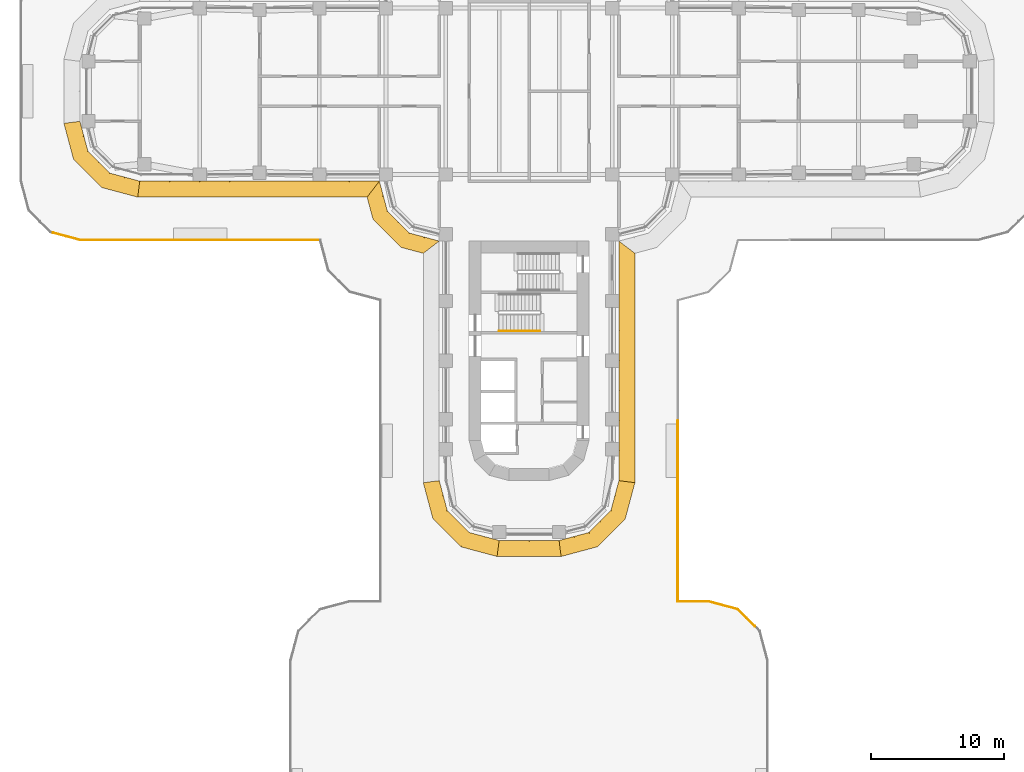
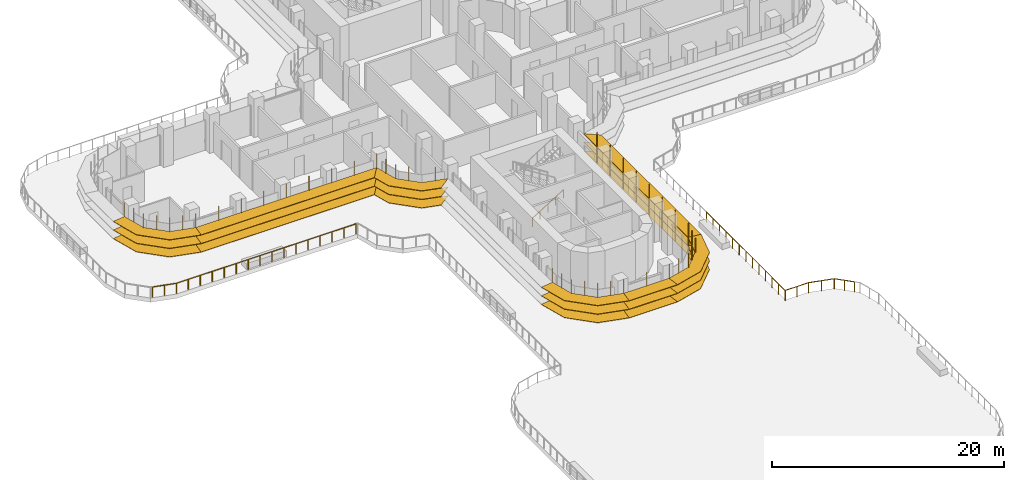
# One storey, part 21 of 26: 7 shading devices, 3 railings.
"""IFC4 building model written with IfcOpenShell, lengths in metres."""

from ifc_helpers import new_model, si_unit, direction, frame, origin, origin_2d, place, context, subcontext, project, spatial, polyline, circle, outline, extrude, faceted_brep, source, transform, mapped, material, type_object, element, save


model = new_model("IFC4")

# Units and contexts
model_context = context("Model", 3, precision=1e-05, world=origin(), true_north=direction((0.0, 1.0)))
body_context = subcontext(model_context, "Body", "Model", "MODEL_VIEW")
ifc_project = project(units=[si_unit("LENGTHUNIT", "METRE"), si_unit("AREAUNIT", "SQUARE_METRE"), si_unit("VOLUMEUNIT", "CUBIC_METRE"), si_unit("PLANEANGLEUNIT", "RADIAN"), si_unit("MASSUNIT", "GRAM", prefix="KILO")], contexts=[model_context])

# Site, building, storey
site_placement = place(None, origin())
site = spatial("IfcSite", under=ifc_project, at=site_placement, CompositionType="ELEMENT")
building_placement = place(site_placement, origin())
building = spatial("IfcBuilding", under=site, at=building_placement, Name="Zarbagh Exchange Tower", CompositionType="ELEMENT")
storey_placement = place(building_placement, frame((0.0, 0.0, 27.0)))
storey = spatial("IfcBuildingStorey", under=building, at=storey_placement, Name="L05", CompositionType="ELEMENT", Elevation=27.0)

# Railings
ifc_material_1 = material(Name="Stainless steel", Category="steel")
railing_type_1 = type_object("IfcRailingType", Name="Stair handrail 900 mm", PredefinedType="HANDRAIL", material=ifc_material_1)
railing_1_placement = place(storey_placement, frame((-2.25, -18.0, 0.175048828125)))
element("IfcRailing", 1, at=railing_1_placement, inside=storey, type_object=railing_type_1, Name="ST3 stair handrail 1", PredefinedType="HANDRAIL", context=body_context, shape_type="SweptSolid", body=[
    extrude(circle(Radius=0.02392578125, at=origin_2d()), frame((0.0, 0.0, 0.8759765625), z_axis=(0.847998304005, 0.0, 0.529998940003), x_axis=(0.0, 1.0, 0.0)), (0.0, 0.0, 1.0), 3.632080078125),
    extrude(circle(Radius=0.02099609375, at=origin_2d()), origin(), (0.0, 0.0, 1.0), 0.851806640625),
    extrude(circle(Radius=0.02099609375, at=origin_2d()), frame((0.77001953125, 0.0, 0.481201171875)), (0.0, 0.0, 1.0), 0.851806640625),
    extrude(circle(Radius=0.02099609375, at=origin_2d()), frame((1.5400390625, 0.0, 0.96240234375)), (0.0, 0.0, 1.0), 0.851806640625),
    extrude(circle(Radius=0.02099609375, at=origin_2d()), frame((2.31005859375, 0.0, 1.44384765625)), (0.0, 0.0, 1.0), 0.851806640625),
    extrude(circle(Radius=0.02099609375, at=origin_2d()), frame((3.080078125, 0.0, 1.925048828125)), (0.0, 0.0, 1.0), 0.851806640625),
])
ifc_material_2 = material(Name="Stainless steel and laminated glass", Category="steel")
railing_type_2 = type_object("IfcRailingType", Name="Terrace guard, glass balustrade 1.1 m", PredefinedType="GUARDRAIL", material=ifc_material_2)
railing_2_placement = place(storey_placement, frame((-15.850830078125, -11.169921875, 0.0)))
element("IfcRailing", 2, at=railing_2_placement, inside=storey, type_object=railing_type_2, Name="TG01 terrace guard", PredefinedType="GUARDRAIL", context=body_context, shape_type="SweptSolid", body=[
    extrude(circle(Radius=0.02490234375, at=origin_2d()), frame((0.0, 0.0, 1.0751953125), z_axis=(-1.0, 0.0, 0.0), x_axis=(0.0, -1.0, 0.0)), (0.0, 0.0, 1.0), 17.888671875),
    extrude(circle(Radius=0.02490234375, at=origin_2d()), frame((-17.888671875, 0.0, 1.0751953125), z_axis=(-0.965931018404, 0.258799667088, 0.0), x_axis=(-0.258799667088, -0.965931018404, 0.0)), (0.0, 0.0, 1.0), 2.111328125),
    extrude(circle(Radius=0.02490234375, at=origin_2d()), origin(), (0.0, 0.0, 1.0), 1.050048828125),
    extrude(circle(Radius=0.02490234375, at=origin_2d()), frame((-1.192626953125, 0.0, 0.0)), (0.0, 0.0, 1.0), 1.050048828125),
    extrude(circle(Radius=0.02490234375, at=origin_2d()), frame((-2.38525390625, 0.0, 0.0)), (0.0, 0.0, 1.0), 1.050048828125),
    extrude(circle(Radius=0.02490234375, at=origin_2d()), frame((-3.57763671875, 0.0, 0.0)), (0.0, 0.0, 1.0), 1.050048828125),
    extrude(circle(Radius=0.02490234375, at=origin_2d()), frame((-4.770263671875, 0.0, 0.0)), (0.0, 0.0, 1.0), 1.050048828125),
    extrude(circle(Radius=0.02490234375, at=origin_2d()), frame((-5.962890625, 0.0, 0.0)), (0.0, 0.0, 1.0), 1.050048828125),
    extrude(circle(Radius=0.02490234375, at=origin_2d()), frame((-7.155517578125, 0.0, 0.0)), (0.0, 0.0, 1.0), 1.050048828125),
    extrude(circle(Radius=0.02490234375, at=origin_2d()), frame((-8.34814453125, 0.0, 0.0)), (0.0, 0.0, 1.0), 1.050048828125),
    extrude(circle(Radius=0.02490234375, at=origin_2d()), frame((-9.54052734375, 0.0, 0.0)), (0.0, 0.0, 1.0), 1.050048828125),
    extrude(circle(Radius=0.02490234375, at=origin_2d()), frame((-10.733154296875, 0.0, 0.0)), (0.0, 0.0, 1.0), 1.050048828125),
    extrude(circle(Radius=0.02490234375, at=origin_2d()), frame((-11.92578125, 0.0, 0.0)), (0.0, 0.0, 1.0), 1.050048828125),
    extrude(circle(Radius=0.02490234375, at=origin_2d()), frame((-13.118408203125, 0.0, 0.0)), (0.0, 0.0, 1.0), 1.050048828125),
    extrude(circle(Radius=0.02490234375, at=origin_2d()), frame((-14.31103515625, 0.0, 0.0)), (0.0, 0.0, 1.0), 1.050048828125),
    extrude(circle(Radius=0.02490234375, at=origin_2d()), frame((-15.50341796875, 0.0, 0.0)), (0.0, 0.0, 1.0), 1.050048828125),
    extrude(circle(Radius=0.02490234375, at=origin_2d()), frame((-16.696044921875, 0.0, 0.0)), (0.0, 0.0, 1.0), 1.050048828125),
    extrude(circle(Radius=0.02490234375, at=origin_2d()), frame((-17.888671875, 0.0, 0.0)), (0.0, 0.0, 1.0), 1.050048828125),
    extrude(circle(Radius=0.02490234375, at=origin_2d()), frame((-18.908203125, 0.273193359375, 0.0)), (0.0, 0.0, 1.0), 1.050048828125),
    extrude(circle(Radius=0.02490234375, at=origin_2d()), frame((-19.927978515625, 0.54638671875, 0.0)), (0.0, 0.0, 1.0), 1.050048828125),
])
railing_3_placement = place(storey_placement, frame((11.169921875, -24.74560546875, 0.0)))
element("IfcRailing", 3, at=railing_3_placement, inside=storey, type_object=railing_type_2, Name="TG01 terrace guard", PredefinedType="GUARDRAIL", context=body_context, shape_type="SweptSolid", body=[
    extrude(circle(Radius=0.02490234375, at=origin_2d()), frame((0.0, 0.0, 1.0751953125), z_axis=(0.0, -1.0, 0.0), x_axis=(1.0, 0.0, 0.0)), (0.0, 0.0, 1.0), 13.58447265625),
    extrude(circle(Radius=0.02490234375, at=origin_2d()), frame((0.0, -13.58447265625, 1.0751953125), z_axis=(1.0, 0.0, 0.0), x_axis=(0.0, 1.0, 0.0)), (0.0, 0.0, 1.0), 2.319580078125),
    extrude(circle(Radius=0.02490234375, at=origin_2d()), frame((2.319580078125, -13.58447265625, 1.0751953125), z_axis=(0.965936192935, -0.258780353152, 0.0), x_axis=(0.258780353152, 0.965936192935, 0.0)), (0.0, 0.0, 1.0), 2.29736328125),
    extrude(circle(Radius=0.02490234375, at=origin_2d()), frame((4.53857421875, -14.178955078125, 1.0751953125), z_axis=(0.707106781187, -0.707106781187, 0.0), x_axis=(0.707106781187, 0.707106781187, 0.0)), (0.0, 0.0, 1.0), 1.798828125),
    extrude(circle(Radius=0.02490234375, at=origin_2d()), origin(), (0.0, 0.0, 1.0), 1.050048828125),
    extrude(circle(Radius=0.02490234375, at=origin_2d()), frame((0.0, -1.132080078125, 0.0)), (0.0, 0.0, 1.0), 1.050048828125),
    extrude(circle(Radius=0.02490234375, at=origin_2d()), frame((0.0, -2.26416015625, 0.0)), (0.0, 0.0, 1.0), 1.050048828125),
    extrude(circle(Radius=0.02490234375, at=origin_2d()), frame((0.0, -3.39599609375, 0.0)), (0.0, 0.0, 1.0), 1.050048828125),
    extrude(circle(Radius=0.02490234375, at=origin_2d()), frame((0.0, -4.528076171875, 0.0)), (0.0, 0.0, 1.0), 1.050048828125),
    extrude(circle(Radius=0.02490234375, at=origin_2d()), frame((0.0, -5.66015625, 0.0)), (0.0, 0.0, 1.0), 1.050048828125),
    extrude(circle(Radius=0.02490234375, at=origin_2d()), frame((0.0, -6.792236328125, 0.0)), (0.0, 0.0, 1.0), 1.050048828125),
    extrude(circle(Radius=0.02490234375, at=origin_2d()), frame((0.0, -7.92431640625, 0.0)), (0.0, 0.0, 1.0), 1.050048828125),
    extrude(circle(Radius=0.02490234375, at=origin_2d()), frame((0.0, -9.056396484375, 0.0)), (0.0, 0.0, 1.0), 1.050048828125),
    extrude(circle(Radius=0.02490234375, at=origin_2d()), frame((0.0, -10.1884765625, 0.0)), (0.0, 0.0, 1.0), 1.050048828125),
    extrude(circle(Radius=0.02490234375, at=origin_2d()), frame((0.0, -11.3203125, 0.0)), (0.0, 0.0, 1.0), 1.050048828125),
    extrude(circle(Radius=0.02490234375, at=origin_2d()), frame((0.0, -12.452392578125, 0.0)), (0.0, 0.0, 1.0), 1.050048828125),
    extrude(circle(Radius=0.02490234375, at=origin_2d()), frame((0.0, -13.58447265625, 0.0)), (0.0, 0.0, 1.0), 1.050048828125),
    extrude(circle(Radius=0.02490234375, at=origin_2d()), frame((1.15966796875, -13.58447265625, 0.0)), (0.0, 0.0, 1.0), 1.050048828125),
    extrude(circle(Radius=0.02490234375, at=origin_2d()), frame((2.319580078125, -13.58447265625, 0.0)), (0.0, 0.0, 1.0), 1.050048828125),
    extrude(circle(Radius=0.02490234375, at=origin_2d()), frame((3.42919921875, -13.8818359375, 0.0)), (0.0, 0.0, 1.0), 1.050048828125),
    extrude(circle(Radius=0.02490234375, at=origin_2d()), frame((4.53857421875, -14.178955078125, 0.0)), (0.0, 0.0, 1.0), 1.050048828125),
    extrude(circle(Radius=0.02490234375, at=origin_2d()), frame((5.174560546875, -14.81494140625, 0.0)), (0.0, 0.0, 1.0), 1.050048828125),
    extrude(circle(Radius=0.02490234375, at=origin_2d()), frame((5.810546875, -15.450927734375, 0.0)), (0.0, 0.0, 1.0), 1.050048828125),
])

# Shading devices
ifc_material_3 = material(Name="Anodised aluminium blades and brackets", Category="aluminium")
shading_device_type = type_object("IfcShadingDeviceType", Name="SUNSHADE louvre band, 0 degree blades", PredefinedType="JALOUSIE", material=ifc_material_3)
shared_shape_1 = source(origin(), body_context, "Body", "Brep", [
    faceted_brep([(0.0, 0.0, 0.0), (0.0, 0.0, -0.0400390625), (-0.157958984375, -1.199951171875, -0.0400390625), (-0.157958984375, -1.199951171875, 0.0), (2.65087890625, -1.199951171875, 0.0), (2.65087890625, -1.199951171875, -0.0400390625), (2.329345703125, 0.0, -0.0400390625), (2.329345703125, 0.0, 0.0)], [[[0, 1, 2, 3]], [[4, 5, 6, 7]], [[0, 7, 6, 1]], [[1, 6, 5, 2]], [[2, 5, 4, 3]], [[3, 4, 7, 0]]]),
])
shared_shape_2 = source(origin(), body_context, "Body", "Brep", [
    faceted_brep([(0.0, 0.0, 0.0), (0.0, 0.0, -0.0400390625), (-0.321533203125, -1.199951171875, -0.0400390625), (-0.321533203125, -1.199951171875, 0.0), (2.65087890625, -1.199951171875, 0.0), (2.65087890625, -1.199951171875, -0.0400390625), (2.329345703125, 0.0, -0.0400390625), (2.329345703125, 0.0, 0.0)], [[[0, 1, 2, 3]], [[4, 5, 6, 7]], [[0, 7, 6, 1]], [[1, 6, 5, 2]], [[2, 5, 4, 3]], [[3, 4, 7, 0]]]),
])
shared_shape_3 = source(origin(), body_context, "Body", "Brep", [
    faceted_brep([(0.0, 0.0, 0.0), (0.0, 0.0, -0.0400390625), (-0.321533203125, -1.199951171875, -0.0400390625), (-0.321533203125, -1.199951171875, 0.0), (2.4873046875, -1.199951171875, 0.0), (2.4873046875, -1.199951171875, -0.0400390625), (2.329345703125, 0.0, -0.0400390625), (2.329345703125, 0.0, 0.0)], [[[0, 1, 2, 3]], [[4, 5, 6, 7]], [[0, 7, 6, 1]], [[1, 6, 5, 2]], [[2, 5, 4, 3]], [[3, 4, 7, 0]]]),
])
shared_shape_4 = source(origin(), body_context, "Body", "SweptSolid", [
    extrude(outline(polyline([(0.0, -0.012451171875), (0.06005859375, -0.012451171875), (0.06005859375, 0.012451171875), (0.0, 0.012451171875), (0.0, -0.012451171875)])), origin(), (0.0, 0.0, 1.0), 3.35009765625),
])
placement = place(storey_placement, origin())
element("IfcShadingDevice", 4, at=placement, inside=storey, type_object=shading_device_type, Name="SS01 sunshade band", PredefinedType="JALOUSIE", context=body_context, shape_type="MappedRepresentation", body=[
    mapped(shared_shape_1, transform((2.25, -33.75, 2.699951171875), x_axis=(0.965924289636, 0.258824779902, 0.0), y_axis=(-0.258824779902, 0.965924289636, 0.0), z_axis=(0.0, 0.0, 1.0))),
    mapped(shared_shape_1, transform((2.25, -33.75, 1.800048828125), x_axis=(0.965924289636, 0.258824779902, 0.0), y_axis=(-0.258824779902, 0.965924289636, 0.0), z_axis=(0.0, 0.0, 1.0))),
    mapped(shared_shape_1, transform((2.25, -33.75, 0.89990234375), x_axis=(0.965924289636, 0.258824779902, 0.0), y_axis=(-0.258824779902, 0.965924289636, 0.0), z_axis=(0.0, 0.0, 1.0))),
    mapped(shared_shape_2, transform((4.5, -33.147216796875, 2.699951171875), x_axis=(0.707106781187, 0.707106781187, 0.0), y_axis=(-0.707106781187, 0.707106781187, 0.0), z_axis=(0.0, 0.0, 1.0))),
    mapped(shared_shape_2, transform((4.5, -33.147216796875, 1.800048828125), x_axis=(0.707106781187, 0.707106781187, 0.0), y_axis=(-0.707106781187, 0.707106781187, 0.0), z_axis=(0.0, 0.0, 1.0))),
    mapped(shared_shape_2, transform((4.5, -33.147216796875, 0.89990234375), x_axis=(0.707106781187, 0.707106781187, 0.0), y_axis=(-0.707106781187, 0.707106781187, 0.0), z_axis=(0.0, 0.0, 1.0))),
    mapped(shared_shape_3, transform((6.147216796875, -31.5, 2.699951171875), x_axis=(0.258824779902, 0.965924289636, 0.0), y_axis=(-0.965924289636, 0.258824779902, 0.0), z_axis=(0.0, 0.0, 1.0))),
    mapped(shared_shape_3, transform((6.147216796875, -31.5, 1.800048828125), x_axis=(0.258824779902, 0.965924289636, 0.0), y_axis=(-0.965924289636, 0.258824779902, 0.0), z_axis=(0.0, 0.0, 1.0))),
    mapped(shared_shape_3, transform((6.147216796875, -31.5, 0.89990234375), x_axis=(0.258824779902, 0.965924289636, 0.0), y_axis=(-0.965924289636, 0.258824779902, 0.0), z_axis=(0.0, 0.0, 1.0))),
    mapped(shared_shape_4, transform((2.25, -33.75, 0.830078125), x_axis=(0.130529263012, -0.991444457092, 0.0), y_axis=(0.991444457092, 0.130529263012, 0.0), z_axis=(0.0, 0.0, 1.0))),
    mapped(shared_shape_4, transform((3.375, -33.448486328125, 0.830078125), x_axis=(0.258825058029, -0.96592421511, 0.0), y_axis=(0.96592421511, 0.258825058029, 0.0), z_axis=(0.0, 0.0, 1.0))),
    mapped(shared_shape_4, transform((4.5, -33.147216796875, 0.830078125), x_axis=(0.50000275701, -0.866023812018, 0.0), y_axis=(0.866023812018, 0.50000275701, 0.0), z_axis=(0.0, 0.0, 1.0))),
    mapped(shared_shape_4, transform((5.323486328125, -32.323486328125, 0.830078125), x_axis=(0.707106781187, -0.707106781187, 0.0), y_axis=(0.707106781187, 0.707106781187, 0.0), z_axis=(0.0, 0.0, 1.0))),
    mapped(shared_shape_4, transform((6.147216796875, -31.5, 0.830078125), x_axis=(0.866023812018, -0.50000275701, 0.0), y_axis=(0.50000275701, 0.866023812018, 0.0), z_axis=(0.0, 0.0, 1.0))),
    mapped(shared_shape_4, transform((6.448486328125, -30.375, 0.830078125), x_axis=(0.96592421511, -0.258825058029, 0.0), y_axis=(0.258825058029, 0.96592421511, 0.0), z_axis=(0.0, 0.0, 1.0))),
])
element("IfcShadingDevice", 5, at=placement, inside=storey, type_object=shading_device_type, Name="SS19 sunshade band", PredefinedType="JALOUSIE", context=body_context, shape_type="MappedRepresentation", body=[
    mapped(shared_shape_1, transform((-33.75, -2.25, 2.699951171875), x_axis=(0.258824779902, -0.965924289636, 0.0), y_axis=(0.965924289636, 0.258824779902, 0.0), z_axis=(0.0, 0.0, 1.0))),
    mapped(shared_shape_1, transform((-33.75, -2.25, 1.800048828125), x_axis=(0.258824779902, -0.965924289636, 0.0), y_axis=(0.965924289636, 0.258824779902, 0.0), z_axis=(0.0, 0.0, 1.0))),
    mapped(shared_shape_1, transform((-33.75, -2.25, 0.89990234375), x_axis=(0.258824779902, -0.965924289636, 0.0), y_axis=(0.965924289636, 0.258824779902, 0.0), z_axis=(0.0, 0.0, 1.0))),
    mapped(shared_shape_2, transform((-33.147216796875, -4.5, 2.699951171875), x_axis=(0.707106781187, -0.707106781187, 0.0), y_axis=(0.707106781187, 0.707106781187, 0.0), z_axis=(0.0, 0.0, 1.0))),
    mapped(shared_shape_2, transform((-33.147216796875, -4.5, 1.800048828125), x_axis=(0.707106781187, -0.707106781187, 0.0), y_axis=(0.707106781187, 0.707106781187, 0.0), z_axis=(0.0, 0.0, 1.0))),
    mapped(shared_shape_2, transform((-33.147216796875, -4.5, 0.89990234375), x_axis=(0.707106781187, -0.707106781187, 0.0), y_axis=(0.707106781187, 0.707106781187, 0.0), z_axis=(0.0, 0.0, 1.0))),
    mapped(shared_shape_3, transform((-31.5, -6.147216796875, 2.699951171875), x_axis=(0.965924289636, -0.258824779902, 0.0), y_axis=(0.258824779902, 0.965924289636, 0.0), z_axis=(0.0, 0.0, 1.0))),
    mapped(shared_shape_3, transform((-31.5, -6.147216796875, 1.800048828125), x_axis=(0.965924289636, -0.258824779902, 0.0), y_axis=(0.258824779902, 0.965924289636, 0.0), z_axis=(0.0, 0.0, 1.0))),
    mapped(shared_shape_3, transform((-31.5, -6.147216796875, 0.89990234375), x_axis=(0.965924289636, -0.258824779902, 0.0), y_axis=(0.258824779902, 0.965924289636, 0.0), z_axis=(0.0, 0.0, 1.0))),
    mapped(shared_shape_4, transform((-33.75, -2.25, 0.830078125), x_axis=(-0.991444457092, -0.130529263012, 0.0), y_axis=(0.130529263012, -0.991444457092, 0.0), z_axis=(0.0, 0.0, 1.0))),
    mapped(shared_shape_4, transform((-33.448486328125, -3.375, 0.830078125), x_axis=(-0.96592421511, -0.258825058029, 0.0), y_axis=(0.258825058029, -0.96592421511, 0.0), z_axis=(0.0, 0.0, 1.0))),
    mapped(shared_shape_4, transform((-33.147216796875, -4.5, 0.830078125), x_axis=(-0.866023812018, -0.50000275701, 0.0), y_axis=(0.50000275701, -0.866023812018, 0.0), z_axis=(0.0, 0.0, 1.0))),
    mapped(shared_shape_4, transform((-32.323486328125, -5.323486328125, 0.830078125), x_axis=(-0.707106781187, -0.707106781187, 0.0), y_axis=(0.707106781187, -0.707106781187, 0.0), z_axis=(0.0, 0.0, 1.0))),
    mapped(shared_shape_4, transform((-31.5, -6.147216796875, 0.830078125), x_axis=(-0.50000275701, -0.866023812018, 0.0), y_axis=(0.866023812018, -0.50000275701, 0.0), z_axis=(0.0, 0.0, 1.0))),
    mapped(shared_shape_4, transform((-30.375, -6.448486328125, 0.830078125), x_axis=(-0.258825058029, -0.96592421511, 0.0), y_axis=(0.96592421511, -0.258825058029, 0.0), z_axis=(0.0, 0.0, 1.0))),
])
element("IfcShadingDevice", 6, at=placement, inside=storey, type_object=shading_device_type, Name="SS23 sunshade band", PredefinedType="JALOUSIE", context=body_context, shape_type="MappedRepresentation", body=[
    mapped(shared_shape_1, transform((-6.75, -29.25, 2.699951171875), x_axis=(0.258824779902, -0.965924289636, 0.0), y_axis=(0.965924289636, 0.258824779902, 0.0), z_axis=(0.0, 0.0, 1.0))),
    mapped(shared_shape_1, transform((-6.75, -29.25, 1.800048828125), x_axis=(0.258824779902, -0.965924289636, 0.0), y_axis=(0.965924289636, 0.258824779902, 0.0), z_axis=(0.0, 0.0, 1.0))),
    mapped(shared_shape_1, transform((-6.75, -29.25, 0.89990234375), x_axis=(0.258824779902, -0.965924289636, 0.0), y_axis=(0.965924289636, 0.258824779902, 0.0), z_axis=(0.0, 0.0, 1.0))),
    mapped(shared_shape_2, transform((-6.147216796875, -31.5, 2.699951171875), x_axis=(0.707106781187, -0.707106781187, 0.0), y_axis=(0.707106781187, 0.707106781187, 0.0), z_axis=(0.0, 0.0, 1.0))),
    mapped(shared_shape_2, transform((-6.147216796875, -31.5, 1.800048828125), x_axis=(0.707106781187, -0.707106781187, 0.0), y_axis=(0.707106781187, 0.707106781187, 0.0), z_axis=(0.0, 0.0, 1.0))),
    mapped(shared_shape_2, transform((-6.147216796875, -31.5, 0.89990234375), x_axis=(0.707106781187, -0.707106781187, 0.0), y_axis=(0.707106781187, 0.707106781187, 0.0), z_axis=(0.0, 0.0, 1.0))),
    mapped(shared_shape_3, transform((-4.5, -33.147216796875, 2.699951171875), x_axis=(0.965924289636, -0.258824779902, 0.0), y_axis=(0.258824779902, 0.965924289636, 0.0), z_axis=(0.0, 0.0, 1.0))),
    mapped(shared_shape_3, transform((-4.5, -33.147216796875, 1.800048828125), x_axis=(0.965924289636, -0.258824779902, 0.0), y_axis=(0.258824779902, 0.965924289636, 0.0), z_axis=(0.0, 0.0, 1.0))),
    mapped(shared_shape_3, transform((-4.5, -33.147216796875, 0.89990234375), x_axis=(0.965924289636, -0.258824779902, 0.0), y_axis=(0.258824779902, 0.965924289636, 0.0), z_axis=(0.0, 0.0, 1.0))),
    mapped(shared_shape_4, transform((-6.75, -29.25, 0.830078125), x_axis=(-0.991444457092, -0.130529263012, 0.0), y_axis=(0.130529263012, -0.991444457092, 0.0), z_axis=(0.0, 0.0, 1.0))),
    mapped(shared_shape_4, transform((-6.448486328125, -30.375, 0.830078125), x_axis=(-0.96592421511, -0.258825058029, 0.0), y_axis=(0.258825058029, -0.96592421511, 0.0), z_axis=(0.0, 0.0, 1.0))),
    mapped(shared_shape_4, transform((-6.147216796875, -31.5, 0.830078125), x_axis=(-0.866023812018, -0.50000275701, 0.0), y_axis=(0.50000275701, -0.866023812018, 0.0), z_axis=(0.0, 0.0, 1.0))),
    mapped(shared_shape_4, transform((-5.323486328125, -32.323486328125, 0.830078125), x_axis=(-0.707106781187, -0.707106781187, 0.0), y_axis=(0.707106781187, -0.707106781187, 0.0), z_axis=(0.0, 0.0, 1.0))),
    mapped(shared_shape_4, transform((-4.5, -33.147216796875, 0.830078125), x_axis=(-0.50000275701, -0.866023812018, 0.0), y_axis=(0.866023812018, -0.50000275701, 0.0), z_axis=(0.0, 0.0, 1.0))),
    mapped(shared_shape_4, transform((-3.375, -33.448486328125, 0.830078125), x_axis=(-0.258825058029, -0.96592421511, 0.0), y_axis=(0.96592421511, -0.258825058029, 0.0), z_axis=(0.0, 0.0, 1.0))),
])
shared_shape_5 = source(origin(), body_context, "Body", "Brep", [
    faceted_brep([(0.0, 0.0, 0.0), (0.0, 0.0, -0.0400390625), (0.9208984375, -1.199951171875, -0.0400390625), (0.9208984375, -1.199951171875, 0.0), (2.65087890625, -1.199951171875, 0.0), (2.65087890625, -1.199951171875, -0.0400390625), (2.329345703125, 0.0, -0.0400390625), (2.329345703125, 0.0, 0.0)], [[[0, 1, 2, 3]], [[4, 5, 6, 7]], [[0, 7, 6, 1]], [[1, 6, 5, 2]], [[2, 5, 4, 3]], [[3, 4, 7, 0]]]),
])
shared_shape_6 = source(origin(), body_context, "Body", "Brep", [
    faceted_brep([(0.0, 0.0, 0.0), (0.0, 0.0, -0.0400390625), (-0.321533203125, -1.199951171875, -0.0400390625), (-0.321533203125, -1.199951171875, 0.0), (1.40869140625, -1.199951171875, 0.0), (1.40869140625, -1.199951171875, -0.0400390625), (2.329345703125, 0.0, -0.0400390625), (2.329345703125, 0.0, 0.0)], [[[0, 1, 2, 3]], [[4, 5, 6, 7]], [[0, 7, 6, 1]], [[1, 6, 5, 2]], [[2, 5, 4, 3]], [[3, 4, 7, 0]]]),
])
element("IfcShadingDevice", 7, at=placement, inside=storey, type_object=shading_device_type, Name="SS21 sunshade band", PredefinedType="JALOUSIE", context=body_context, shape_type="MappedRepresentation", body=[
    mapped(shared_shape_5, transform((-11.25, -6.75, 2.699951171875), x_axis=(0.258824779902, -0.965924289636, 0.0), y_axis=(0.965924289636, 0.258824779902, 0.0), z_axis=(0.0, 0.0, 1.0))),
    mapped(shared_shape_5, transform((-11.25, -6.75, 1.800048828125), x_axis=(0.258824779902, -0.965924289636, 0.0), y_axis=(0.965924289636, 0.258824779902, 0.0), z_axis=(0.0, 0.0, 1.0))),
    mapped(shared_shape_5, transform((-11.25, -6.75, 0.89990234375), x_axis=(0.258824779902, -0.965924289636, 0.0), y_axis=(0.965924289636, 0.258824779902, 0.0), z_axis=(0.0, 0.0, 1.0))),
    mapped(shared_shape_2, transform((-10.647216796875, -9.0, 2.699951171875), x_axis=(0.707106781187, -0.707106781187, 0.0), y_axis=(0.707106781187, 0.707106781187, 0.0), z_axis=(0.0, 0.0, 1.0))),
    mapped(shared_shape_2, transform((-10.647216796875, -9.0, 1.800048828125), x_axis=(0.707106781187, -0.707106781187, 0.0), y_axis=(0.707106781187, 0.707106781187, 0.0), z_axis=(0.0, 0.0, 1.0))),
    mapped(shared_shape_2, transform((-10.647216796875, -9.0, 0.89990234375), x_axis=(0.707106781187, -0.707106781187, 0.0), y_axis=(0.707106781187, 0.707106781187, 0.0), z_axis=(0.0, 0.0, 1.0))),
    mapped(shared_shape_6, transform((-9.0, -10.647216796875, 2.699951171875), x_axis=(0.965924289636, -0.258824779902, 0.0), y_axis=(0.258824779902, 0.965924289636, 0.0), z_axis=(0.0, 0.0, 1.0))),
    mapped(shared_shape_6, transform((-9.0, -10.647216796875, 1.800048828125), x_axis=(0.965924289636, -0.258824779902, 0.0), y_axis=(0.258824779902, 0.965924289636, 0.0), z_axis=(0.0, 0.0, 1.0))),
    mapped(shared_shape_6, transform((-9.0, -10.647216796875, 0.89990234375), x_axis=(0.965924289636, -0.258824779902, 0.0), y_axis=(0.258824779902, 0.965924289636, 0.0), z_axis=(0.0, 0.0, 1.0))),
    mapped(shared_shape_4, transform((-11.25, -6.75, 0.830078125), x_axis=(-0.608758892, -0.793355287, 0.0), y_axis=(0.793355287, -0.608758892, 0.0), z_axis=(0.0, 0.0, 1.0))),
    mapped(shared_shape_4, transform((-10.948486328125, -7.875, 0.830078125), x_axis=(-0.96592421511, -0.258825058029, 0.0), y_axis=(0.258825058029, -0.96592421511, 0.0), z_axis=(0.0, 0.0, 1.0))),
    mapped(shared_shape_4, transform((-10.647216796875, -9.0, 0.830078125), x_axis=(-0.866023812018, -0.50000275701, 0.0), y_axis=(0.50000275701, -0.866023812018, 0.0), z_axis=(0.0, 0.0, 1.0))),
    mapped(shared_shape_4, transform((-9.823486328125, -9.823486328125, 0.830078125), x_axis=(-0.707106781187, -0.707106781187, 0.0), y_axis=(0.707106781187, -0.707106781187, 0.0), z_axis=(0.0, 0.0, 1.0))),
    mapped(shared_shape_4, transform((-9.0, -10.647216796875, 0.830078125), x_axis=(-0.50000275701, -0.866023812018, 0.0), y_axis=(0.866023812018, -0.50000275701, 0.0), z_axis=(0.0, 0.0, 1.0))),
    mapped(shared_shape_4, transform((-7.875, -10.948486328125, 0.830078125), x_axis=(-0.258825058029, -0.96592421511, 0.0), y_axis=(0.96592421511, -0.258825058029, 0.0), z_axis=(0.0, 0.0, 1.0))),
])
shared_shape_7 = source(origin(), body_context, "Body", "Brep", [
    faceted_brep([(0.0, 0.0, 0.0), (0.0, 0.0, -0.0400390625), (-0.157958984375, -1.199951171875, -0.0400390625), (-0.157958984375, -1.199951171875, 0.0), (17.0791015625, -1.199951171875, 0.0), (17.0791015625, -1.199951171875, -0.0400390625), (18.0, 0.0, -0.0400390625), (18.0, 0.0, 0.0)], [[[0, 1, 2, 3]], [[4, 5, 6, 7]], [[0, 7, 6, 1]], [[1, 6, 5, 2]], [[2, 5, 4, 3]], [[3, 4, 7, 0]]]),
])
element("IfcShadingDevice", 8, at=placement, inside=storey, type_object=shading_device_type, Name="SS02 sunshade band", PredefinedType="JALOUSIE", context=body_context, shape_type="MappedRepresentation", body=[
    mapped(shared_shape_7, transform((6.75, -29.25, 2.699951171875), x_axis=(0.0, 1.0, 0.0), y_axis=(-1.0, 0.0, 0.0), z_axis=(0.0, 0.0, 1.0))),
    mapped(shared_shape_7, transform((6.75, -29.25, 1.800048828125), x_axis=(0.0, 1.0, 0.0), y_axis=(-1.0, 0.0, 0.0), z_axis=(0.0, 0.0, 1.0))),
    mapped(shared_shape_7, transform((6.75, -29.25, 0.89990234375), x_axis=(0.0, 1.0, 0.0), y_axis=(-1.0, 0.0, 0.0), z_axis=(0.0, 0.0, 1.0))),
    mapped(shared_shape_4, transform((6.75, -29.25, 0.830078125), x_axis=(0.991444457092, -0.130529263012, 0.0), y_axis=(0.130529263012, 0.991444457092, 0.0), z_axis=(0.0, 0.0, 1.0))),
    mapped(shared_shape_4, transform((6.75, -27.0, 0.830078125), x_axis=(1.0, 0.0, 0.0), y_axis=(0.0, 1.0, 0.0), z_axis=(0.0, 0.0, 1.0))),
    mapped(shared_shape_4, transform((6.75, -24.75, 0.830078125), x_axis=(1.0, 0.0, 0.0), y_axis=(0.0, 1.0, 0.0), z_axis=(0.0, 0.0, 1.0))),
    mapped(shared_shape_4, transform((6.75, -22.5, 0.830078125), x_axis=(1.0, 0.0, 0.0), y_axis=(0.0, 1.0, 0.0), z_axis=(0.0, 0.0, 1.0))),
    mapped(shared_shape_4, transform((6.75, -20.25, 0.830078125), x_axis=(1.0, 0.0, 0.0), y_axis=(0.0, 1.0, 0.0), z_axis=(0.0, 0.0, 1.0))),
    mapped(shared_shape_4, transform((6.75, -18.0, 0.830078125), x_axis=(1.0, 0.0, 0.0), y_axis=(0.0, 1.0, 0.0), z_axis=(0.0, 0.0, 1.0))),
    mapped(shared_shape_4, transform((6.75, -15.75, 0.830078125), x_axis=(1.0, 0.0, 0.0), y_axis=(0.0, 1.0, 0.0), z_axis=(0.0, 0.0, 1.0))),
    mapped(shared_shape_4, transform((6.75, -13.5, 0.830078125), x_axis=(1.0, 0.0, 0.0), y_axis=(0.0, 1.0, 0.0), z_axis=(0.0, 0.0, 1.0))),
])
element("IfcShadingDevice", 9, at=placement, inside=storey, type_object=shading_device_type, Name="SS20 sunshade band", PredefinedType="JALOUSIE", context=body_context, shape_type="MappedRepresentation", body=[
    mapped(shared_shape_7, transform((-29.25, -6.75, 2.699951171875), x_axis=(1.0, 0.0, 0.0), y_axis=(0.0, 1.0, 0.0), z_axis=(0.0, 0.0, 1.0))),
    mapped(shared_shape_7, transform((-29.25, -6.75, 1.800048828125), x_axis=(1.0, 0.0, 0.0), y_axis=(0.0, 1.0, 0.0), z_axis=(0.0, 0.0, 1.0))),
    mapped(shared_shape_7, transform((-29.25, -6.75, 0.89990234375), x_axis=(1.0, 0.0, 0.0), y_axis=(0.0, 1.0, 0.0), z_axis=(0.0, 0.0, 1.0))),
    mapped(shared_shape_4, transform((-29.25, -6.75, 0.830078125), x_axis=(-0.130529263012, -0.991444457092, 0.0), y_axis=(0.991444457092, -0.130529263012, 0.0), z_axis=(0.0, 0.0, 1.0))),
    mapped(shared_shape_4, transform((-27.0, -6.75, 0.830078125), x_axis=(0.0, -1.0, 0.0), y_axis=(1.0, 0.0, 0.0), z_axis=(0.0, 0.0, 1.0))),
    mapped(shared_shape_4, transform((-24.75, -6.75, 0.830078125), x_axis=(0.0, -1.0, 0.0), y_axis=(1.0, 0.0, 0.0), z_axis=(0.0, 0.0, 1.0))),
    mapped(shared_shape_4, transform((-22.5, -6.75, 0.830078125), x_axis=(0.0, -1.0, 0.0), y_axis=(1.0, 0.0, 0.0), z_axis=(0.0, 0.0, 1.0))),
    mapped(shared_shape_4, transform((-20.25, -6.75, 0.830078125), x_axis=(0.0, -1.0, 0.0), y_axis=(1.0, 0.0, 0.0), z_axis=(0.0, 0.0, 1.0))),
    mapped(shared_shape_4, transform((-18.0, -6.75, 0.830078125), x_axis=(0.0, -1.0, 0.0), y_axis=(1.0, 0.0, 0.0), z_axis=(0.0, 0.0, 1.0))),
    mapped(shared_shape_4, transform((-15.75, -6.75, 0.830078125), x_axis=(0.0, -1.0, 0.0), y_axis=(1.0, 0.0, 0.0), z_axis=(0.0, 0.0, 1.0))),
    mapped(shared_shape_4, transform((-13.5, -6.75, 0.830078125), x_axis=(0.0, -1.0, 0.0), y_axis=(1.0, 0.0, 0.0), z_axis=(0.0, 0.0, 1.0))),
])
shared_shape_8 = source(origin(), body_context, "Body", "Brep", [
    faceted_brep([(0.0, 0.0, 0.0), (0.0, 0.0, -0.0400390625), (-0.157958984375, -1.199951171875, -0.0400390625), (-0.157958984375, -1.199951171875, 0.0), (4.657958984375, -1.199951171875, 0.0), (4.657958984375, -1.199951171875, -0.0400390625), (4.5, 0.0, -0.0400390625), (4.5, 0.0, 0.0)], [[[0, 1, 2, 3]], [[4, 5, 6, 7]], [[0, 7, 6, 1]], [[1, 6, 5, 2]], [[2, 5, 4, 3]], [[3, 4, 7, 0]]]),
])
element("IfcShadingDevice", 10, at=placement, inside=storey, type_object=shading_device_type, Name="SS24 sunshade band", PredefinedType="JALOUSIE", context=body_context, shape_type="MappedRepresentation", body=[
    mapped(shared_shape_8, transform((-2.25, -33.75, 2.699951171875), x_axis=(1.0, 0.0, 0.0), y_axis=(0.0, 1.0, 0.0), z_axis=(0.0, 0.0, 1.0))),
    mapped(shared_shape_8, transform((-2.25, -33.75, 1.800048828125), x_axis=(1.0, 0.0, 0.0), y_axis=(0.0, 1.0, 0.0), z_axis=(0.0, 0.0, 1.0))),
    mapped(shared_shape_8, transform((-2.25, -33.75, 0.89990234375), x_axis=(1.0, 0.0, 0.0), y_axis=(0.0, 1.0, 0.0), z_axis=(0.0, 0.0, 1.0))),
    mapped(shared_shape_4, transform((-2.25, -33.75, 0.830078125), x_axis=(-0.130529263012, -0.991444457092, 0.0), y_axis=(0.991444457092, -0.130529263012, 0.0), z_axis=(0.0, 0.0, 1.0))),
    mapped(shared_shape_4, transform((0.0, -33.75, 0.830078125), x_axis=(0.0, -1.0, 0.0), y_axis=(1.0, 0.0, 0.0), z_axis=(0.0, 0.0, 1.0))),
])

save(model, "model.ifc")
